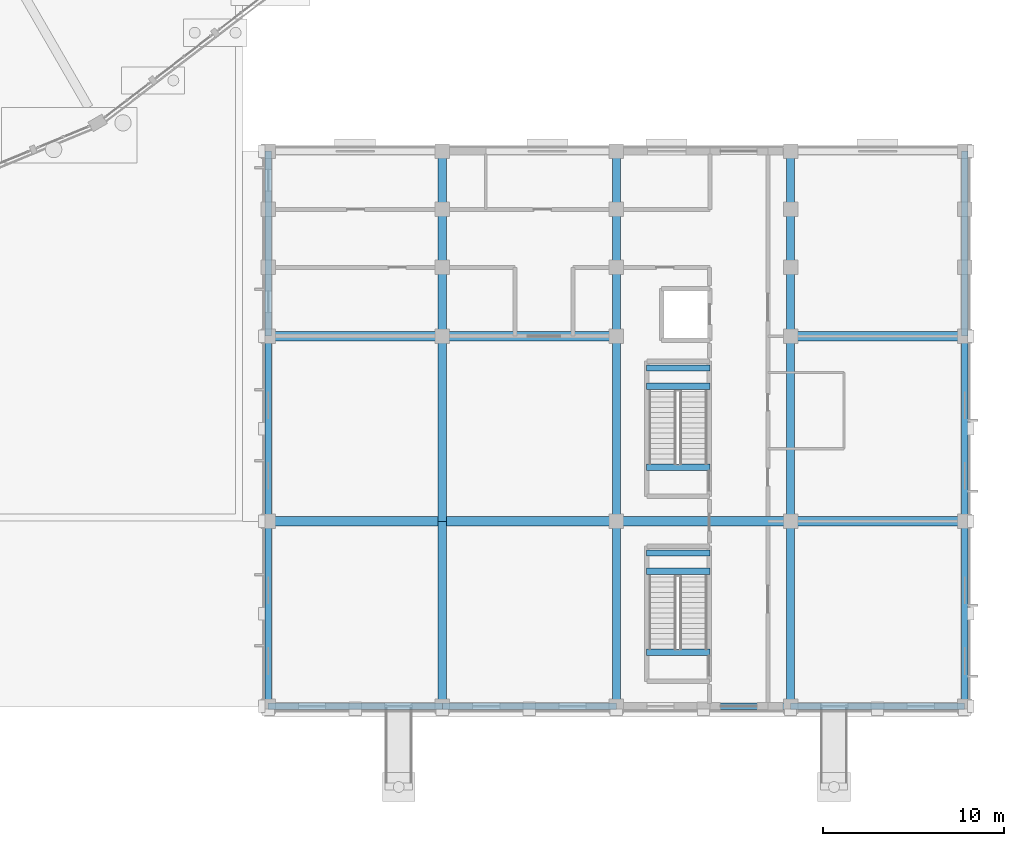
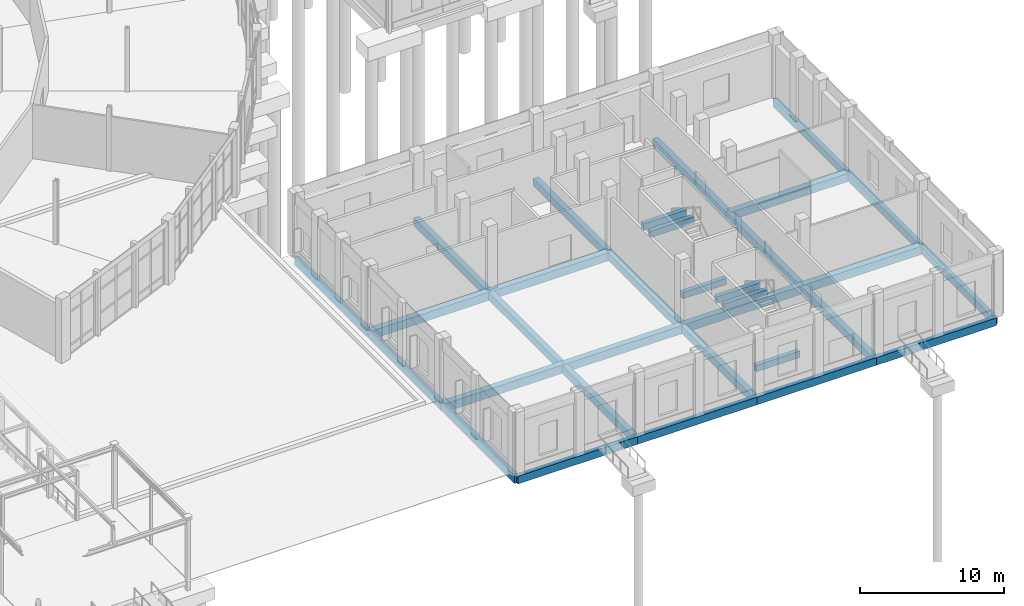
# One storey, part 66 of 137: 32 beams.
"""IFC4 building model written with IfcOpenShell, lengths in metres."""

from ifc_helpers import new_model, si_unit, direction, frame, origin, origin_2d, place, context, subcontext, project, spatial, rectangle, extrude, material, material_profile, profile_set, type_object, element, save


model = new_model("IFC4")

# Units and contexts
model_context = context("Model", 3, precision=1e-05, world=origin(), true_north=direction((0.0, 1.0)))
body_context = subcontext(model_context, "Body", "Model", "MODEL_VIEW")
ifc_project = project(units=[si_unit("LENGTHUNIT", "METRE"), si_unit("AREAUNIT", "SQUARE_METRE"), si_unit("VOLUMEUNIT", "CUBIC_METRE"), si_unit("PLANEANGLEUNIT", "RADIAN"), si_unit("MASSUNIT", "GRAM", prefix="KILO")], contexts=[model_context])

# Site, building, storey
site_placement = place(None, origin())
site = spatial("IfcSite", under=ifc_project, at=site_placement, CompositionType="ELEMENT")
building_placement = place(site_placement, origin())
building = spatial("IfcBuilding", under=site, at=building_placement, Name="Vondelvale Polytechnic", CompositionType="ELEMENT")
storey_placement = place(building_placement, origin())
storey = spatial("IfcBuildingStorey", under=building, at=storey_placement, Name="L00", CompositionType="ELEMENT", Elevation=0.0)

# Beams
ifc_material_1 = material(Name="Concrete N40 (f'c = 40 MPa)", Category="concrete")
ifc_material_profile_1 = material_profile(ifc_material_1, rectangle(XDim=0.35009765625, YDim=0.550048828125, at=origin_2d()), Name="RC-BM-350x550")
ifc_profile_set_1 = profile_set([ifc_material_profile_1], Name="Concrete N40 (f'c = 40 MPa)")
beam_type_1 = type_object("IfcBeamType", Name="BM-RC350x550", PredefinedType="BEAM", material=ifc_profile_set_1)
for number, where, z_axis, x_axis, name in (
    (1, (158.75, 7.449951171875, 2.22509765625), (-1.0, 0.0, 0.0), (0.0, -1.0, 0.0), "L00 STLD B-06"),
    (2, (158.75, 8.449951171875, 2.22509765625), (-1.0, 0.0, 0.0), (0.0, -1.0, 0.0), "L00 STLD B-06"),
    (3, (158.75, 2.97509765625, -0.27490234375), (-1.0, 0.0, 0.0), (0.0, -1.0, 0.0), "L00 STHD B-06"),
    (4, (158.75, 17.64990234375, 2.22509765625), (-1.0, 0.0, 0.0), (0.0, -1.0, 0.0), "L00 STLD B-06"),
    (5, (158.75, 18.64990234375, 2.22509765625), (-1.0, 0.0, 0.0), (0.0, -1.0, 0.0), "L00 STLD B-06"),
    (6, (158.75, 13.175048828125, -0.27490234375), (-1.0, 0.0, 0.0), (0.0, -1.0, 0.0), "L00 STHD B-06"),
):
    element("IfcBeam", number, at=place(storey_placement, frame(where, z_axis=z_axis, x_axis=x_axis)), inside=storey, type_object=beam_type_1, Name=name, PredefinedType="BEAM", context=body_context, shape_type="SweptSolid", body=[
        extrude(rectangle(XDim=0.35009765625, YDim=0.550048828125, at=origin_2d()), origin(), (0.0, 0.0, 1.0), 3.5),
    ])
ifc_material_profile_2 = material_profile(ifc_material_1, rectangle(XDim=0.449951171875, YDim=0.64990234375, at=origin_2d()), Name="RC-BM-450x650")
ifc_profile_set_2 = profile_set([ifc_material_profile_2], Name="Concrete N40 (f'c = 40 MPa)")
beam_type_2 = type_object("IfcBeamType", Name="BM-RC450x650", PredefinedType="BEAM", material=ifc_profile_set_2)
for number, where, z_axis, x_axis, name in (
    (7, (144.0, 0.0, -0.625), (0.0, 1.0, 0.0), (-1.0, 0.0, 0.0), "L00 B B-04"),
    (8, (144.0, 10.199951171875, -0.625), (0.0, 1.0, 0.0), (-1.0, 0.0, 0.0), "L00 B B-04"),
):
    element("IfcBeam", number, at=place(storey_placement, frame(where, z_axis=z_axis, x_axis=x_axis)), inside=storey, type_object=beam_type_2, Name=name, PredefinedType="BEAM", context=body_context, shape_type="SweptSolid", body=[
        extrude(rectangle(XDim=0.449951171875, YDim=0.64990234375, at=origin_2d()), origin(), (0.0, 0.0, 1.0), 10.199951171875),
    ])
beam_1_placement = place(storey_placement, frame((144.0, 20.39990234375, -0.625), z_axis=(0.0, 1.0, 0.0), x_axis=(-1.0, 0.0, 0.0)))
element("IfcBeam", 9, at=beam_1_placement, inside=storey, type_object=beam_type_2, Name="L00 B B-04", PredefinedType="BEAM", context=body_context, shape_type="SweptSolid", body=[
    extrude(rectangle(XDim=0.449951171875, YDim=0.64990234375, at=origin_2d()), origin(), (0.0, 0.0, 1.0), 10.2001953125),
])
for number, where, z_axis, x_axis, name in (
    (10, (153.60009765625, 0.0, -0.625), (0.0, 1.0, 0.0), (-1.0, 0.0, 0.0), "L00 B B-04"),
    (11, (153.60009765625, 10.199951171875, -0.625), (0.0, 1.0, 0.0), (-1.0, 0.0, 0.0), "L00 B B-04"),
):
    element("IfcBeam", number, at=place(storey_placement, frame(where, z_axis=z_axis, x_axis=x_axis)), inside=storey, type_object=beam_type_2, Name=name, PredefinedType="BEAM", context=body_context, shape_type="SweptSolid", body=[
        extrude(rectangle(XDim=0.449951171875, YDim=0.64990234375, at=origin_2d()), origin(), (0.0, 0.0, 1.0), 10.199951171875),
    ])
beam_2_placement = place(storey_placement, frame((153.60009765625, 20.39990234375, -0.625), z_axis=(0.0, 1.0, 0.0), x_axis=(-1.0, 0.0, 0.0)))
element("IfcBeam", 12, at=beam_2_placement, inside=storey, type_object=beam_type_2, Name="L00 B B-04", PredefinedType="BEAM", context=body_context, shape_type="SweptSolid", body=[
    extrude(rectangle(XDim=0.449951171875, YDim=0.64990234375, at=origin_2d()), origin(), (0.0, 0.0, 1.0), 10.2001953125),
])
for number, where, z_axis, x_axis, name in (
    (13, (163.199951171875, 0.0, -0.625), (0.0, 1.0, 0.0), (-1.0, 0.0, 0.0), "L00 B B-04"),
    (14, (163.199951171875, 10.199951171875, -0.625), (0.0, 1.0, 0.0), (-1.0, 0.0, 0.0), "L00 B B-04"),
):
    element("IfcBeam", number, at=place(storey_placement, frame(where, z_axis=z_axis, x_axis=x_axis)), inside=storey, type_object=beam_type_2, Name=name, PredefinedType="BEAM", context=body_context, shape_type="SweptSolid", body=[
        extrude(rectangle(XDim=0.449951171875, YDim=0.64990234375, at=origin_2d()), origin(), (0.0, 0.0, 1.0), 10.199951171875),
    ])
beam_3_placement = place(storey_placement, frame((163.199951171875, 20.39990234375, -0.625), z_axis=(0.0, 1.0, 0.0), x_axis=(-1.0, 0.0, 0.0)))
element("IfcBeam", 15, at=beam_3_placement, inside=storey, type_object=beam_type_2, Name="L00 B B-04", PredefinedType="BEAM", context=body_context, shape_type="SweptSolid", body=[
    extrude(rectangle(XDim=0.449951171875, YDim=0.64990234375, at=origin_2d()), origin(), (0.0, 0.0, 1.0), 10.2001953125),
])
ifc_material_profile_3 = material_profile(ifc_material_1, rectangle(XDim=0.5, YDim=0.699951171875, at=origin_2d()), Name="RC-BM-500x700")
ifc_profile_set_3 = profile_set([ifc_material_profile_3], Name="Concrete N40 (f'c = 40 MPa)")
beam_type_3 = type_object("IfcBeamType", Name="BM-RC500x700", PredefinedType="BEAM", material=ifc_profile_set_3)
for number, where, z_axis, x_axis, name in (
    (16, (134.39990234375, 10.199951171875, -0.64990234375), (1.0, 0.0, 0.0), (0.0, 1.0, 0.0), "L00 B B-03"),
    (17, (144.0, 10.199951171875, -0.64990234375), (1.0, 0.0, 0.0), (0.0, 1.0, 0.0), "L00 B B-03"),
):
    element("IfcBeam", number, at=place(storey_placement, frame(where, z_axis=z_axis, x_axis=x_axis)), inside=storey, type_object=beam_type_3, Name=name, PredefinedType="BEAM", context=body_context, shape_type="SweptSolid", body=[
        extrude(rectangle(XDim=0.5, YDim=0.699951171875, at=origin_2d()), origin(), (0.0, 0.0, 1.0), 9.60009765625),
    ])
beam_4_placement = place(storey_placement, frame((153.60009765625, 10.199951171875, -0.64990234375), z_axis=(1.0, 0.0, 0.0), x_axis=(0.0, 1.0, 0.0)))
element("IfcBeam", 18, at=beam_4_placement, inside=storey, type_object=beam_type_3, Name="L00 B B-03", PredefinedType="BEAM", context=body_context, shape_type="SweptSolid", body=[
    extrude(rectangle(XDim=0.5, YDim=0.699951171875, at=origin_2d()), origin(), (0.0, 0.0, 1.0), 9.599853515625),
])
for number, where, z_axis, x_axis, name in (
    (19, (163.199951171875, 10.199951171875, -0.64990234375), (1.0, 0.0, 0.0), (0.0, 1.0, 0.0), "L00 B B-03"),
    (20, (134.39990234375, 20.39990234375, -0.64990234375), (1.0, 0.0, 0.0), (0.0, 1.0, 0.0), "L00 B B-03"),
    (21, (144.0, 20.39990234375, -0.64990234375), (1.0, 0.0, 0.0), (0.0, 1.0, 0.0), "L00 B B-03"),
    (22, (163.199951171875, 20.39990234375, -0.64990234375), (1.0, 0.0, 0.0), (0.0, 1.0, 0.0), "L00 B B-03"),
):
    element("IfcBeam", number, at=place(storey_placement, frame(where, z_axis=z_axis, x_axis=x_axis)), inside=storey, type_object=beam_type_3, Name=name, PredefinedType="BEAM", context=body_context, shape_type="SweptSolid", body=[
        extrude(rectangle(XDim=0.5, YDim=0.699951171875, at=origin_2d()), origin(), (0.0, 0.0, 1.0), 9.60009765625),
    ])
ifc_material_2 = material(Name="Precast concrete N40 (f'c = 40 MPa)", Category="concrete")
ifc_material_profile_4 = material_profile(ifc_material_2, rectangle(XDim=0.35009765625, YDim=0.64990234375, at=origin_2d()), Name="RC-SPN-350x650")
ifc_profile_set_4 = profile_set([ifc_material_profile_4], Name="Precast concrete N40 (f'c = 40 MPa)")
beam_type_4 = type_object("IfcBeamType", Name="SPN-PRE350x650", PredefinedType="SPANDREL", material=ifc_profile_set_4)
for number, where, z_axis, x_axis, name in (
    (23, (134.39990234375, 0.0, -0.625), (1.0, 0.0, 0.0), (0.0, 1.0, 0.0), "L00 B SP-02"),
    (24, (144.0, 0.0, -0.625), (1.0, 0.0, 0.0), (0.0, 1.0, 0.0), "L00 B SP-02"),
):
    element("IfcBeam", number, at=place(storey_placement, frame(where, z_axis=z_axis, x_axis=x_axis)), inside=storey, type_object=beam_type_4, Name=name, PredefinedType="SPANDREL", context=body_context, shape_type="SweptSolid", body=[
        extrude(rectangle(XDim=0.35009765625, YDim=0.64990234375, at=origin_2d()), origin(), (0.0, 0.0, 1.0), 9.60009765625),
    ])
beam_5_placement = place(storey_placement, frame((153.60009765625, 0.0, -0.625), z_axis=(1.0, 0.0, 0.0), x_axis=(0.0, 1.0, 0.0)))
element("IfcBeam", 25, at=beam_5_placement, inside=storey, type_object=beam_type_4, Name="L00 B SP-02", PredefinedType="SPANDREL", context=body_context, shape_type="SweptSolid", body=[
    extrude(rectangle(XDim=0.35009765625, YDim=0.64990234375, at=origin_2d()), origin(), (0.0, 0.0, 1.0), 9.599853515625),
])
beam_6_placement = place(storey_placement, frame((163.199951171875, 0.0, -0.625), z_axis=(1.0, 0.0, 0.0), x_axis=(0.0, 1.0, 0.0)))
element("IfcBeam", 26, at=beam_6_placement, inside=storey, type_object=beam_type_4, Name="L00 B SP-02", PredefinedType="SPANDREL", context=body_context, shape_type="SweptSolid", body=[
    extrude(rectangle(XDim=0.35009765625, YDim=0.64990234375, at=origin_2d()), origin(), (0.0, 0.0, 1.0), 9.60009765625),
])
for number, where, z_axis, x_axis, name in (
    (27, (134.39990234375, 0.0, -0.625), (0.0, 1.0, 0.0), (-1.0, 0.0, 0.0), "L00 B SP-02"),
    (28, (134.39990234375, 10.199951171875, -0.625), (0.0, 1.0, 0.0), (-1.0, 0.0, 0.0), "L00 B SP-02"),
):
    element("IfcBeam", number, at=place(storey_placement, frame(where, z_axis=z_axis, x_axis=x_axis)), inside=storey, type_object=beam_type_4, Name=name, PredefinedType="SPANDREL", context=body_context, shape_type="SweptSolid", body=[
        extrude(rectangle(XDim=0.35009765625, YDim=0.64990234375, at=origin_2d()), origin(), (0.0, 0.0, 1.0), 10.199951171875),
    ])
beam_7_placement = place(storey_placement, frame((134.39990234375, 20.39990234375, -0.625), z_axis=(0.0, 1.0, 0.0), x_axis=(-1.0, 0.0, 0.0)))
element("IfcBeam", 29, at=beam_7_placement, inside=storey, type_object=beam_type_4, Name="L00 B SP-02", PredefinedType="SPANDREL", context=body_context, shape_type="SweptSolid", body=[
    extrude(rectangle(XDim=0.35009765625, YDim=0.64990234375, at=origin_2d()), origin(), (0.0, 0.0, 1.0), 10.2001953125),
])
for number, where, z_axis, x_axis, name in (
    (30, (172.800048828125, 0.0, -0.625), (0.0, 1.0, 0.0), (-1.0, 0.0, 0.0), "L00 B SP-02"),
    (31, (172.800048828125, 10.199951171875, -0.625), (0.0, 1.0, 0.0), (-1.0, 0.0, 0.0), "L00 B SP-02"),
):
    element("IfcBeam", number, at=place(storey_placement, frame(where, z_axis=z_axis, x_axis=x_axis)), inside=storey, type_object=beam_type_4, Name=name, PredefinedType="SPANDREL", context=body_context, shape_type="SweptSolid", body=[
        extrude(rectangle(XDim=0.35009765625, YDim=0.64990234375, at=origin_2d()), origin(), (0.0, 0.0, 1.0), 10.199951171875),
    ])
beam_8_placement = place(storey_placement, frame((172.800048828125, 20.39990234375, -0.625), z_axis=(0.0, 1.0, 0.0), x_axis=(-1.0, 0.0, 0.0)))
element("IfcBeam", 32, at=beam_8_placement, inside=storey, type_object=beam_type_4, Name="L00 B SP-02", PredefinedType="SPANDREL", context=body_context, shape_type="SweptSolid", body=[
    extrude(rectangle(XDim=0.35009765625, YDim=0.64990234375, at=origin_2d()), origin(), (0.0, 0.0, 1.0), 10.2001953125),
])

save(model, "model.ifc")
